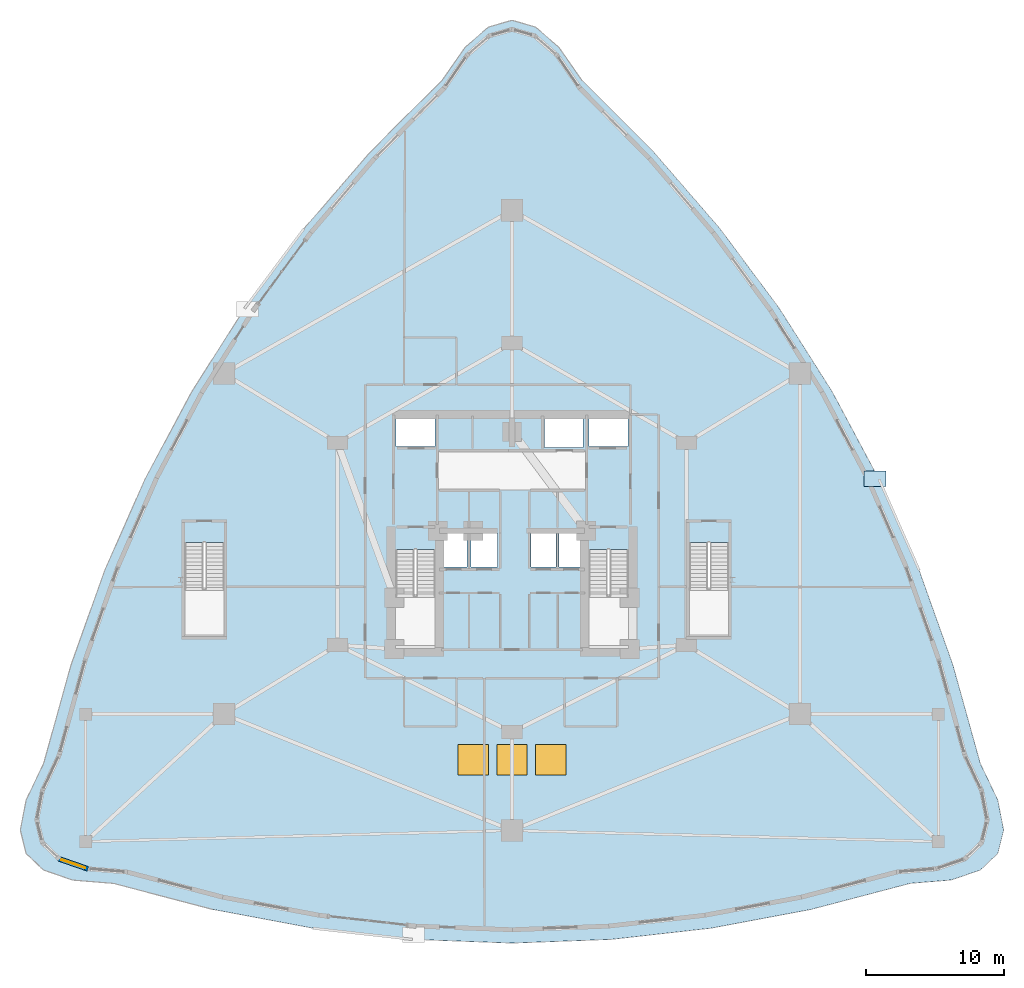
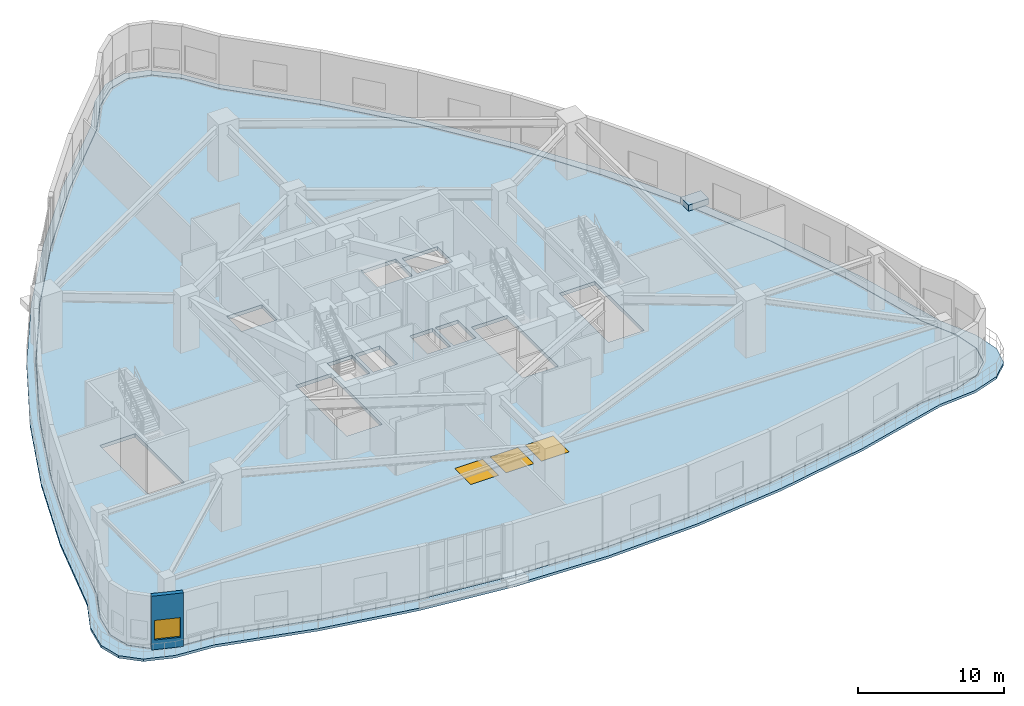
# One storey, part 14 of 23: 4 windows, 3 slabs, 1 wall, 4 openings.
"""IFC4 building model written with IfcOpenShell, lengths in metres."""

from ifc_helpers import new_model, si_unit, direction, frame, frame_2d, origin, origin_2d, place, context, subcontext, project, spatial, polyline, rectangle, outline, extrude, material, layer, layer_set, type_object, element, fill, save


model = new_model("IFC4")

# Units and contexts
model_context = context("Model", 3, precision=1e-05, world=origin(), true_north=direction((0.0, 1.0)))
body_context = subcontext(model_context, "Body", "Model", "MODEL_VIEW")
ifc_project = project(units=[si_unit("LENGTHUNIT", "METRE"), si_unit("AREAUNIT", "SQUARE_METRE"), si_unit("VOLUMEUNIT", "CUBIC_METRE"), si_unit("PLANEANGLEUNIT", "RADIAN"), si_unit("MASSUNIT", "GRAM", prefix="KILO")], contexts=[model_context])

# Site, building, storey
site_placement = place(None, origin())
site = spatial("IfcSite", under=ifc_project, at=site_placement, CompositionType="ELEMENT")
building_placement = place(site_placement, origin())
building = spatial("IfcBuilding", under=site, at=building_placement, Name="Miruveldt Soraemaru", CompositionType="ELEMENT")
storey_placement = place(building_placement, frame((0.0, 0.0, 9.60009765625)))
storey = spatial("IfcBuildingStorey", under=building, at=storey_placement, Name="L03", CompositionType="ELEMENT", Elevation=9.60009765625)

# Slab
ifc_material_1 = material(Name="Precast concrete C45/55 (45 MPa)", Category="concrete")
ifc_layer_1 = layer(ifc_material_1, 0.179931640625, Name="Precast concrete C45/55 (45 MPa)", Category="concrete")
ifc_layer_set_1 = layer_set([ifc_layer_1], Name="Precast concrete C45/55 (45 MPa)")
slab_type_1 = type_object("IfcSlabType", Name="SLAB-PLTR-180", PredefinedType="USERDEFINED", material=ifc_layer_set_1)
slab_1_placement = place(storey_placement, origin())
element("IfcSlab", 1, at=slab_1_placement, inside=storey, type_object=slab_type_1, Name="L03 Terrace Planter Bed PLANTER 3", ObjectType="PLANTER", PredefinedType="USERDEFINED", context=body_context, shape_type="SweptSolid", body=[
    extrude(outline(polyline([(69.409912109375, 47.259033203125), (71.010009765625, 47.259033203125), (71.010009765625, 48.35888671875), (69.409912109375, 48.35888671875), (69.409912109375, 47.259033203125)])), origin(), (0.0, 0.0, 1.0), 0.5),
])

# Slab, openings, windows
ifc_material_2 = material(Name="Concrete C40/50 (40 MPa)", Category="concrete")
ifc_layer_2 = layer(ifc_material_2, 0.300048828125, Name="Concrete C40/50 (40 MPa)", Category="concrete")
ifc_layer_set_2 = layer_set([ifc_layer_2], Name="Concrete C40/50 (40 MPa)")
slab_type_2 = type_object("IfcSlabType", Name="SLAB-PODM-300", PredefinedType="FLOOR", material=ifc_layer_set_2)
slab_2_placement = place(storey_placement, frame((0.0, 0.0, -0.300048828125)))
slab_2 = element("IfcSlab", 2, at=slab_2_placement, inside=storey, type_object=slab_type_2, Name="L03 Structural Floor Slab", PredefinedType="FLOOR", context=body_context, shape_type="SweptSolid", body=[
    extrude(outline(polyline([(53.943603515625, 70.927978515625), (58.54931640625, 65.55810546875), (62.703369140625, 59.927490234375), (66.40576171875, 54.035888671875), (69.656494140625, 47.8837890625), (72.455810546875, 41.470947265625), (74.803466796875, 34.79736328125), (76.699462890625, 27.863037109375), (77.9208984375, 25.277099609375), (78.328125, 23.161376953125), (77.9208984375, 21.515625), (76.699462890625, 20.34033203125), (74.66357421875, 19.635009765625), (71.813232421875, 19.39990234375), (64.860107421875, 17.57470703125), (57.906494140625, 16.27099609375), (50.953369140625, 15.48876953125), (44.0, 15.22802734375), (37.046630859375, 15.48876953125), (30.093505859375, 16.27099609375), (23.139892578125, 17.57470703125), (16.186767578125, 19.39990234375), (13.33642578125, 19.635009765625), (11.300537109375, 20.34033203125), (10.0791015625, 21.515869140625), (9.671875, 23.161376953125), (10.0791015625, 25.277099609375), (11.300537109375, 27.863037109375), (13.196533203125, 34.79736328125), (15.544189453125, 41.470947265625), (18.343505859375, 47.8837890625), (21.59423828125, 54.035888671875), (25.296630859375, 59.927490234375), (29.45068359375, 65.55810546875), (34.056396484375, 70.927978515625), (39.114013671875, 76.037109375), (40.74267578125, 78.3876953125), (42.371337890625, 79.79833984375), (44.0, 80.2685546875), (45.628662109375, 79.79833984375), (47.25732421875, 78.3876953125), (48.885986328125, 76.037109375), (53.943603515625, 70.927978515625)]), holes=[polyline([(35.614990234375, 35.6650390625), (38.43505859375, 35.6650390625), (38.43505859375, 42.68505859375), (35.614990234375, 42.68505859375), (35.614990234375, 35.6650390625)]), polyline([(20.364990234375, 36.4150390625), (23.18505859375, 36.4150390625), (23.18505859375, 43.18505859375), (20.364990234375, 43.18505859375), (20.364990234375, 36.4150390625)]), polyline([(40.764892578125, 41.4150390625), (40.764892578125, 43.885009765625), (38.81494140625, 43.885009765625), (38.81494140625, 41.4150390625), (40.764892578125, 41.4150390625)]), polyline([(41.034912109375, 41.4150390625), (42.965087890625, 41.4150390625), (42.965087890625, 43.885009765625), (41.034912109375, 43.885009765625), (41.034912109375, 41.4150390625)]), polyline([(45.364990234375, 41.4150390625), (47.1650390625, 41.4150390625), (47.1650390625, 43.885009765625), (45.364990234375, 43.885009765625), (45.364990234375, 41.4150390625)]), polyline([(38.445068359375, 50.135009765625), (38.445068359375, 52.205078125), (35.635009765625, 52.205078125), (35.635009765625, 50.135009765625), (38.445068359375, 50.135009765625)]), polyline([(49.56494140625, 42.68505859375), (49.56494140625, 35.6650390625), (52.385009765625, 35.6650390625), (52.385009765625, 42.68505859375), (49.56494140625, 42.68505859375)]), polyline([(56.81494140625, 43.18505859375), (56.81494140625, 36.4150390625), (59.635009765625, 36.4150390625), (59.635009765625, 43.18505859375), (56.81494140625, 43.18505859375)]), polyline([(49.18505859375, 41.4150390625), (49.18505859375, 43.885009765625), (47.39501953125, 43.885009765625), (47.39501953125, 41.4150390625), (49.18505859375, 41.4150390625)]), polyline([(49.554931640625, 50.135009765625), (52.364990234375, 50.135009765625), (52.364990234375, 52.205078125), (49.554931640625, 52.205078125), (49.554931640625, 50.135009765625)]), polyline([(46.364990234375, 50.06494140625), (49.135009765625, 50.06494140625), (49.135009765625, 52.3349609375), (46.364990234375, 52.3349609375), (46.364990234375, 50.06494140625)])]), origin(), (0.0, 0.0, 1.0), 0.300048828125),
])
opening_1_placement = place(slab_2_placement, frame((41.199951171875, 27.5, -0.010009765625)))
opening_1 = element("IfcOpeningElement", 3, at=opening_1_placement, cuts=slab_2, Name="Opening SK-1", PredefinedType="OPENING", context=body_context, shape_type="SweptSolid", body=[
    extrude(rectangle(XDim=2.199951171875, YDim=2.199951171875, at=origin_2d()), origin(), (0.0, 0.0, 1.0), 0.320068359375),
])
opening_2_placement = place(slab_2_placement, frame((44.0, 27.5, -0.010009765625)))
opening_2 = element("IfcOpeningElement", 4, at=opening_2_placement, cuts=slab_2, Name="Opening SK-1", PredefinedType="OPENING", context=body_context, shape_type="SweptSolid", body=[
    extrude(rectangle(XDim=2.199951171875, YDim=2.199951171875, at=origin_2d()), origin(), (0.0, 0.0, 1.0), 0.320068359375),
])
opening_3_placement = place(slab_2_placement, frame((46.800048828125, 27.5, -0.010009765625)))
opening_3 = element("IfcOpeningElement", 5, at=opening_3_placement, cuts=slab_2, Name="Opening SK-1", PredefinedType="OPENING", context=body_context, shape_type="SweptSolid", body=[
    extrude(rectangle(XDim=2.199951171875, YDim=2.199951171875, at=origin_2d()), origin(), (0.0, 0.0, 1.0), 0.320068359375),
])
ifc_material_3 = material(Name="Triple low-e insulated glazing", Category="glass")
window_type_1 = type_object("IfcWindowType", Name="WIN-SKYL-2200x2200", PartitioningType="SINGLE_PANEL", PredefinedType="SKYLIGHT", material=ifc_material_3)
window_1_placement = place(opening_1_placement, frame((0.0, 0.0, 0.260009765625)))
window_1 = element("IfcWindow", 6, at=window_1_placement, inside=storey, type_object=window_type_1, Name="L03 Podium Atrium Skylight 1", OverallHeight=2.199951171875, OverallWidth=2.199951171875, PartitioningType="SINGLE_PANEL", PredefinedType="SKYLIGHT", context=body_context, shape_type="SweptSolid", body=[
    extrude(rectangle(XDim=2.199951171875, YDim=2.199951171875, at=origin_2d()), origin(), (0.0, 0.0, 1.0), 0.050048828125),
])
fill(opening_1, window_1)
window_2_placement = place(opening_2_placement, frame((0.0, 0.0, 0.260009765625)))
window_2 = element("IfcWindow", 7, at=window_2_placement, inside=storey, type_object=window_type_1, Name="L03 Podium Atrium Skylight 2", OverallHeight=2.199951171875, OverallWidth=2.199951171875, PartitioningType="SINGLE_PANEL", PredefinedType="SKYLIGHT", context=body_context, shape_type="SweptSolid", body=[
    extrude(rectangle(XDim=2.199951171875, YDim=2.199951171875, at=origin_2d()), origin(), (0.0, 0.0, 1.0), 0.050048828125),
])
fill(opening_2, window_2)
window_3_placement = place(opening_3_placement, frame((0.0, 0.0, 0.260009765625)))
window_3 = element("IfcWindow", 8, at=window_3_placement, inside=storey, type_object=window_type_1, Name="L03 Podium Atrium Skylight 3", OverallHeight=2.199951171875, OverallWidth=2.199951171875, PartitioningType="SINGLE_PANEL", PredefinedType="SKYLIGHT", context=body_context, shape_type="SweptSolid", body=[
    extrude(rectangle(XDim=2.199951171875, YDim=2.199951171875, at=origin_2d()), origin(), (0.0, 0.0, 1.0), 0.050048828125),
])
fill(opening_3, window_3)

# Slab
ifc_layer_3 = layer(ifc_material_2, 0.2099609375, Name="Concrete C40/50 (40 MPa)", Category="concrete")
ifc_layer_set_3 = layer_set([ifc_layer_3], Name="Concrete C40/50 (40 MPa)")
slab_type_3 = type_object("IfcSlabType", Name="SLAB-TERR-210", PredefinedType="ROOF", material=ifc_layer_set_3)
slab_3_placement = place(storey_placement, frame((0.0, 0.0, -0.210205078125)))
element("IfcSlab", 9, at=slab_3_placement, inside=storey, type_object=slab_type_3, Name="L03 Planted Terrace Roof Slab", PredefinedType="ROOF", context=body_context, shape_type="SweptSolid", body=[
    extrude(outline(polyline([(54.270751953125, 71.359619140625), (59.02392578125, 65.866455078125), (63.314697265625, 60.103515625), (67.142822265625, 54.07080078125), (70.50830078125, 47.768310546875), (73.411376953125, 41.1962890625), (75.851806640625, 34.354248046875), (77.82958984375, 27.242431640625), (79.09326171875, 24.593994140625), (79.514404296875, 22.427001953125), (79.09326171875, 20.741455078125), (77.82958984375, 19.53759765625), (75.723388671875, 18.815185546875), (72.774658203125, 18.574462890625), (65.580810546875, 16.686279296875), (58.38720703125, 15.33740234375), (51.193603515625, 14.528076171875), (44.0, 14.25830078125), (36.806396484375, 14.528076171875), (29.61279296875, 15.33740234375), (22.419189453125, 16.686279296875), (15.225341796875, 18.574462890625), (12.276611328125, 18.815185546875), (10.17041015625, 19.53759765625), (8.90673828125, 20.741455078125), (8.485595703125, 22.427001953125), (8.90673828125, 24.593994140625), (10.17041015625, 27.242431640625), (12.148193359375, 34.354248046875), (14.588623046875, 41.1962890625), (17.49169921875, 47.768310546875), (20.857177734375, 54.07080078125), (24.685302734375, 60.103515625), (28.97607421875, 65.866455078125), (33.729248046875, 71.359619140625), (38.945068359375, 76.5830078125), (40.6298828125, 78.99072265625), (42.31494140625, 80.435546875), (44.0, 80.9169921875), (45.68505859375, 80.435546875), (47.3701171875, 78.99072265625), (49.054931640625, 76.5830078125), (54.270751953125, 71.359619140625)]), holes=[polyline([(47.269775390625, 78.396240234375), (45.638427734375, 79.8095703125), (44.004150390625, 80.282958984375), (42.3671875, 79.812744140625), (40.73291015625, 78.399169921875), (39.102294921875, 76.046630859375), (34.0458984375, 70.9384765625), (29.439453125, 65.56787109375), (25.28466796875, 59.936279296875), (21.58154296875, 54.0439453125), (18.330078125, 47.890869140625), (15.530517578125, 41.47705078125), (13.182373046875, 34.802490234375), (11.28662109375, 27.8681640625), (10.0654296875, 25.283447265625), (9.6572265625, 23.1640625), (10.064453125, 21.51220703125), (11.290283203125, 20.32958984375), (13.33154296875, 19.620849609375), (16.18408203125, 19.38525390625), (23.13623046875, 17.560302734375), (30.090576171875, 16.25634765625), (37.044921875, 15.473876953125), (43.99951171875, 15.212890625), (50.953857421875, 15.473876953125), (57.908203125, 16.256103515625), (64.86279296875, 17.56005859375), (71.81591796875, 19.38525390625), (74.664794921875, 19.6201171875), (76.704345703125, 20.326171875), (77.931396484375, 21.5048828125), (78.3427734375, 23.15771484375), (77.935546875, 25.27978515625), (76.71337890625, 27.8681640625), (74.81787109375, 34.801513671875), (72.47021484375, 41.47607421875), (69.67041015625, 47.889892578125), (66.419189453125, 54.04296875), (62.716064453125, 59.935302734375), (58.561279296875, 65.56689453125), (53.954833984375, 70.937744140625), (48.897705078125, 76.046630859375), (47.269775390625, 78.396240234375)])]), origin(), (0.0, 0.0, 1.0), 0.210205078125),
])

# Wall, opening, window
ifc_layer_4 = layer(ifc_material_1, 0.340087890625, Name="Precast concrete C45/55 (45 MPa)", Category="concrete")
ifc_layer_set_4 = layer_set([ifc_layer_4], Name="Precast concrete C45/55 (45 MPa)")
wall_type = type_object("IfcWallType", Name="WALL-EXT-PC340", PredefinedType="SOLIDWALL", material=ifc_layer_set_4)
wall_placement = place(storey_placement, frame((11.267578125, 20.351806640625, 0.0), z_axis=(0.0, 0.0, 1.0), x_axis=(0.944897315519, -0.327366863205, 0.0)))
wall = element("IfcWall", 10, at=wall_placement, inside=storey, type_object=wall_type, Name="L03 Precast Concrete Facade Wall 19", PredefinedType="SOLIDWALL", context=body_context, shape_type="SweptSolid", body=[
    extrude(rectangle(XDim=2.224609375, YDim=0.340087890625, at=frame_2d((1.1123046875, 0.0))), origin(), (0.0, 0.0, 1.0), 4.5),
])
opening_4_placement = place(wall_placement, frame((0.212890625, 0.0, 0.800048828125)))
opening_4 = element("IfcOpeningElement", 11, at=opening_4_placement, cuts=wall, Name="Opening WN-2", PredefinedType="OPENING", context=body_context, shape_type="SweptSolid", body=[
    extrude(rectangle(XDim=1.800048828125, YDim=1.64990234375, at=frame_2d((0.89990234375, 0.824951171875))), frame((0.0, 0.18017578125, 0.0), z_axis=(0.0, -1.0, 0.0), x_axis=(1.0, 0.0, 0.0)), (0.0, 0.0, 1.0), 0.360107421875),
])
window_type_2 = type_object("IfcWindowType", Name="WIN-PUNCH-1800x1650", PartitioningType="SINGLE_PANEL", PredefinedType="WINDOW", material=ifc_material_3)
window_4_placement = place(opening_4_placement, origin())
window_4 = element("IfcWindow", 12, at=window_4_placement, inside=storey, type_object=window_type_2, Name="L03 Punched Triple-Glazed Window 19.1", OverallHeight=1.64990234375, OverallWidth=1.800048828125, PartitioningType="SINGLE_PANEL", PredefinedType="WINDOW", context=body_context, shape_type="SweptSolid", body=[
    extrude(rectangle(XDim=1.800048828125, YDim=1.64990234375, at=frame_2d((0.89990234375, 0.824951171875))), frame((0.0, 0.030029296875, 0.0), z_axis=(0.0, -1.0, 0.0), x_axis=(1.0, 0.0, 0.0)), (0.0, 0.0, 1.0), 0.06005859375),
])
fill(opening_4, window_4)

save(model, "model.ifc")
